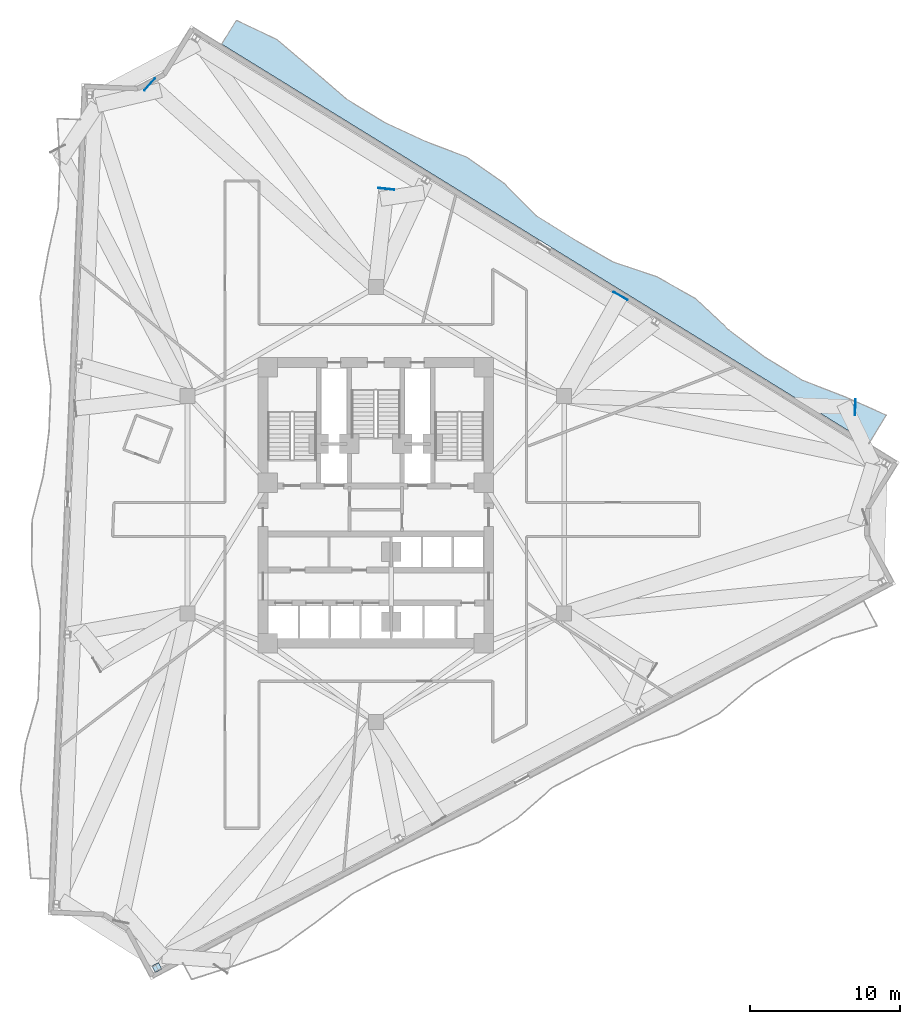
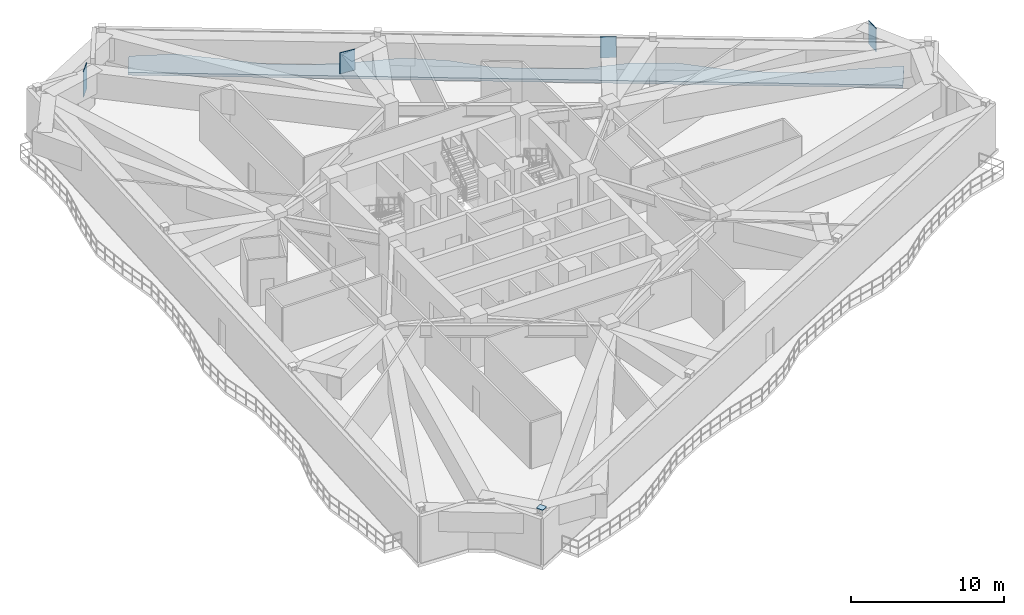
# One storey, part 6 of 14: 5 plates, 1 slab.
"""IFC4 building model written with IfcOpenShell, lengths in metres."""

from ifc_helpers import new_model, si_unit, direction, frame, origin, origin_2d, place, context, subcontext, project, spatial, polyline, rectangle, outline, extrude, material, layer, layer_set, type_object, element, save


model = new_model("IFC4")

# Units and contexts
model_context = context("Model", 3, precision=1e-05, world=origin(), true_north=direction((0.0, 1.0)))
body_context = subcontext(model_context, "Body", "Model", "MODEL_VIEW")
ifc_project = project(units=[si_unit("LENGTHUNIT", "METRE"), si_unit("AREAUNIT", "SQUARE_METRE"), si_unit("VOLUMEUNIT", "CUBIC_METRE"), si_unit("PLANEANGLEUNIT", "RADIAN"), si_unit("MASSUNIT", "GRAM", prefix="KILO")], contexts=[model_context])

# Site, building, storey
site_placement = place(None, origin())
site = spatial("IfcSite", under=ifc_project, at=site_placement, CompositionType="ELEMENT")
building_placement = place(site_placement, origin())
building = spatial("IfcBuilding", under=site, at=building_placement, Name="Apsidion Concourse Tower", CompositionType="ELEMENT")
storey_placement = place(building_placement, frame((0.0, 0.0, 190.10009765625)))
storey = spatial("IfcBuildingStorey", under=building, at=storey_placement, Name="L44", CompositionType="ELEMENT", Elevation=190.10009765625)

# Plates
ifc_material_1 = material(Name="Structural steel ASTM A572 Grade 50", Category="steel")
ifc_layer_1 = layer(ifc_material_1, 0.034912109375)
ifc_layer_set_1 = layer_set([ifc_layer_1], Name="Structural steel ASTM A572 Grade 50")
plate_type = type_object("IfcPlateType", Name="PL-ENDCAP-35", PredefinedType="USERDEFINED", material=ifc_layer_set_1)
plate_1_placement = place(storey_placement, frame((-14.599609375, -30.872802734375, 4.097900390625), z_axis=(0.0, 0.0, 1.0), x_axis=(0.882947592859, 0.469471562786, 0.0)))
element("IfcPlate", 1, at=plate_1_placement, inside=storey, type_object=plate_type, Name="L44 Step-Top Column End-Cap Plate PCCAP-PC05", ObjectType="FLANGE_PLATE", PredefinedType="USERDEFINED", context=body_context, shape_type="SweptSolid", body=[
    extrude(rectangle(XDim=0.486083984375, YDim=0.4970703125, at=origin_2d()), origin(), (0.0, 0.0, 1.0), 0.0400390625),
])
plate_2_placement = place(storey_placement, frame((31.968505859375, 6.484619140625, 1.85986328125), z_axis=(0.0, 0.0, 1.0), x_axis=(0.999222168891, -0.039434213527, 0.0)))
element("IfcPlate", 2, at=plate_2_placement, inside=storey, type_object=plate_type, Name="L44 Radial Transfer Girder End-Cap Plate NTRCAP-09", ObjectType="FLANGE_PLATE", PredefinedType="USERDEFINED", context=body_context, shape_type="SweptSolid", body=[
    extrude(rectangle(XDim=0.044921875, YDim=1.080078125, at=origin_2d()), origin(), (0.0, 0.0, 1.0), 1.8798828125),
])
for number, where, z_axis, x_axis, name in (
    (3, (16.3125, 13.912353515625, 2.06005859375), (0.0, 0.0, 1.0), (0.490751690644, 0.871299476719, 0.0), "L44 Radial Transfer Girder End-Cap Plate NTRCAP-10"),
    (4, (0.702392578125, 21.050048828125, 2.06005859375), (0.0, 0.0, 1.0), (0.106611154275, 0.994300790397, 0.0), "L44 Radial Transfer Girder End-Cap Plate NTRCAP-11"),
):
    element("IfcPlate", number, at=place(storey_placement, frame(where, z_axis=z_axis, x_axis=x_axis)), inside=storey, type_object=plate_type, Name=name, ObjectType="FLANGE_PLATE", PredefinedType="USERDEFINED", context=body_context, shape_type="SweptSolid", body=[
        extrude(rectangle(XDim=0.044921875, YDim=1.080078125, at=origin_2d()), origin(), (0.0, 0.0, 1.0), 1.679931640625),
    ])
plate_3_placement = place(storey_placement, frame((-15.07958984375, 28.022216796875, 1.659912109375), z_axis=(0.0, 0.0, 1.0), x_axis=(-0.744544618419, 0.667572701047, 0.0)))
element("IfcPlate", 5, at=plate_3_placement, inside=storey, type_object=plate_type, Name="L44 Radial Transfer Girder End-Cap Plate NTRCAP-12", ObjectType="FLANGE_PLATE", PredefinedType="USERDEFINED", context=body_context, shape_type="SweptSolid", body=[
    extrude(rectangle(XDim=0.044921875, YDim=1.080078125, at=origin_2d()), origin(), (0.0, 0.0, 1.0), 2.080078125),
])

# Slab
ifc_material_2 = material(Name="Concrete C50/60", Category="concrete")
ifc_layer_2 = layer(ifc_material_2, 0.219970703125)
ifc_layer_set_2 = layer_set([ifc_layer_2], Name="Concrete C50/60")
slab_type = type_object("IfcSlabType", Name="SL-BAL-220", PredefinedType="FLOOR", material=ifc_layer_set_2)
slab_placement = place(storey_placement, frame((0.0, 0.0, -0.22021484375)))
element("IfcSlab", 6, at=slab_placement, inside=storey, type_object=slab_type, Name="L44 Face 3 Rippling Balcony Slab", PredefinedType="FLOOR", context=body_context, shape_type="SweptSolid", body=[
    extrude(outline(polyline([(32.885498046875, 4.086669921875), (30.346435546875, 5.652587890625), (27.8076171875, 7.21826171875), (25.2685546875, 8.783935546875), (22.7294921875, 10.349609375), (20.1904296875, 11.91552734375), (17.651611328125, 13.481201171875), (15.112548828125, 15.047119140625), (12.573486328125, 16.61279296875), (10.034423828125, 18.178466796875), (7.495361328125, 19.744140625), (4.956298828125, 21.31005859375), (2.41748046875, 22.875732421875), (-0.12158203125, 24.44140625), (-2.66064453125, 26.007080078125), (-5.19970703125, 27.572998046875), (-7.738525390625, 29.138671875), (-10.277587890625, 30.70458984375), (-9.298583984375, 32.2919921875), (-6.585693359375, 31.008056640625), (-4.28759765625, 29.0517578125), (-2.00439453125, 27.0712890625), (0.534423828125, 25.50537109375), (3.25830078125, 24.239501953125), (6.093994140625, 23.154541015625), (8.53369140625, 21.427734375), (10.69873046875, 19.255615234375), (13.2294921875, 17.6767578125), (15.810302734375, 16.1787109375), (18.7158203125, 15.20703125), (21.314697265625, 13.738525390625), (23.533935546875, 11.654296875), (25.924560546875, 9.847900390625), (28.463623046875, 8.2822265625), (31.292724609375, 7.18701171875), (34.040283203125, 5.959228515625), (32.885498046875, 4.086669921875)])), origin(), (0.0, 0.0, 1.0), 0.22021484375),
])

save(model, "model.ifc")
